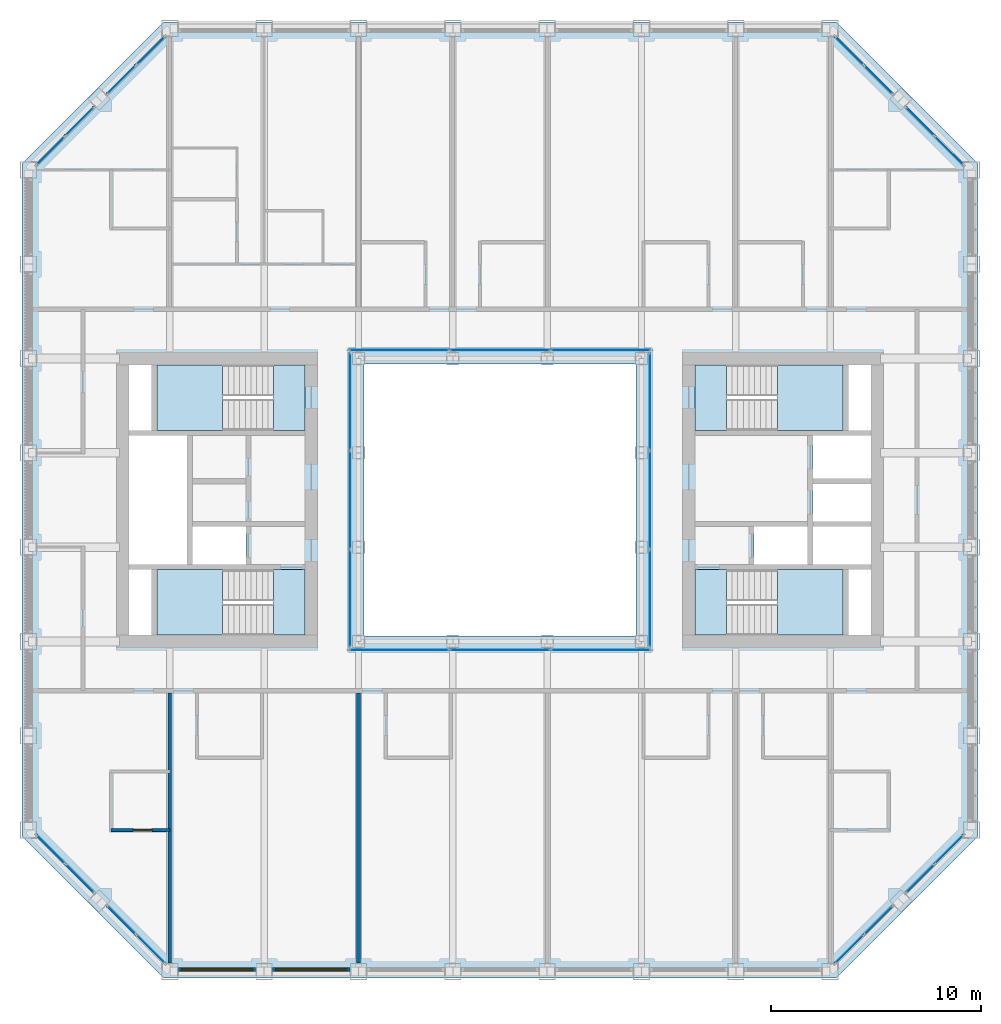
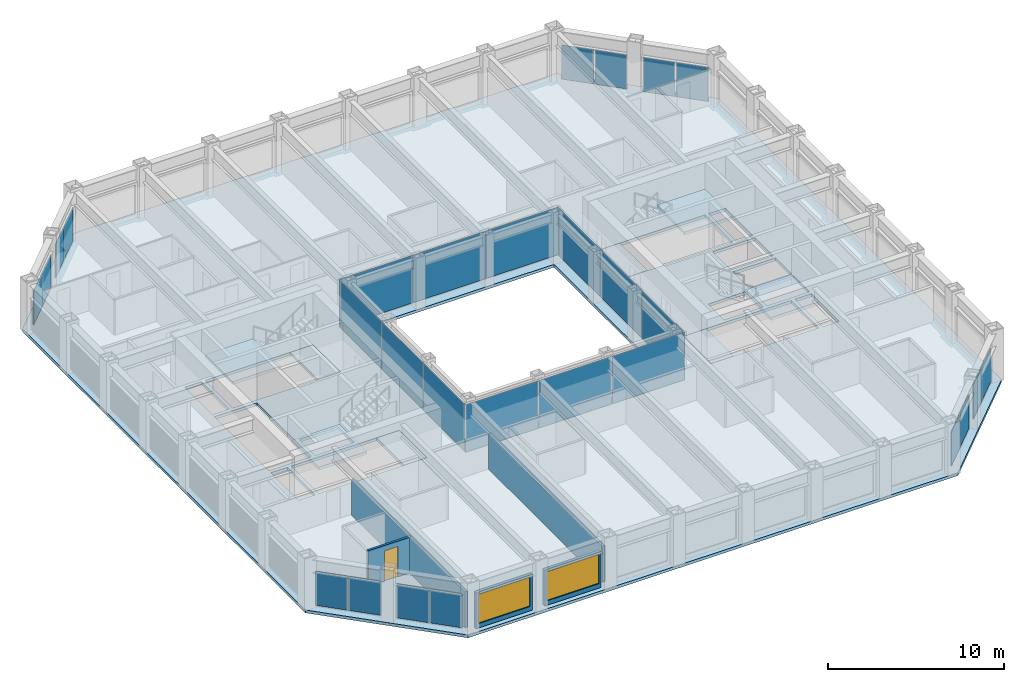
# One storey, part 9 of 17: 28 plates, 9 slabs, 5 walls, 2 windows, 1 door, 3 openings, 16 elements without a shape of their own.
"""IFC4 building model written with IfcOpenShell, lengths in metres."""

from ifc_helpers import new_model, si_unit, direction, frame, frame_2d, origin, origin_2d, place, context, subcontext, project, spatial, polyline, rectangle, outline, extrude, material, layer, layer_set, type_object, element, fill, aggregate, save


model = new_model("IFC4")

# Units and contexts
model_context = context("Model", 3, precision=1e-05, world=origin(), true_north=direction((0.0, 1.0)))
body_context = subcontext(model_context, "Body", "Model", "MODEL_VIEW")
ifc_project = project(units=[si_unit("LENGTHUNIT", "METRE"), si_unit("AREAUNIT", "SQUARE_METRE"), si_unit("VOLUMEUNIT", "CUBIC_METRE"), si_unit("PLANEANGLEUNIT", "RADIAN"), si_unit("MASSUNIT", "GRAM", prefix="KILO")], contexts=[model_context])

# Site, building, storey
site_placement = place(None, origin())
site = spatial("IfcSite", under=ifc_project, at=site_placement, CompositionType="ELEMENT")
building_placement = place(site_placement, origin())
building = spatial("IfcBuilding", under=site, at=building_placement, Name="Msasa Ring Tower", CompositionType="ELEMENT")
storey_placement = place(building_placement, frame((0.0, 0.0, 176.0)))
storey = spatial("IfcBuildingStorey", under=building, at=storey_placement, Name="L46", CompositionType="ELEMENT", Elevation=176.0)

# Curtain wall, plates
ifc_material_1 = material(Name="Aluminium curtain wall with clear glass", Category="aluminium")
curtain_wall_type_1 = type_object("IfcCurtainWallType", Name="CW-C CHAMFER CORNER CURTAIN WALL", PredefinedType="NOTDEFINED", material=ifc_material_1)
curtain_wall_1_placement = place(storey_placement, origin())
curtain_wall_1 = element("IfcCurtainWall", 1, at=curtain_wall_1_placement, inside=storey, type_object=curtain_wall_type_1, Name="Chamfer corner curtain wall SE L46", PredefinedType="NOTDEFINED")
ifc_material_2 = material(Name="Clear laminated insulating glass unit", Category="glass")
ifc_layer_1 = layer(ifc_material_2, 0.031982421875)
ifc_layer_set_1 = layer_set([ifc_layer_1], Name="CW-C GLASS PANEL 32")
plate_type_1 = type_object("IfcPlateType", Name="CW-C GLASS PANEL 32", PredefinedType="CURTAIN_PANEL", material=ifc_layer_set_1)
plate_1_placement = place(storey_placement, frame((16.677734375, -21.430908203125, 0.06494140625), z_axis=(0.0, 0.0, 1.0), x_axis=(0.707106781187, 0.707106781187, 0.0)))
plate_1 = element("IfcPlate", 2, at=plate_1_placement, type_object=plate_type_1, Name="CW-C panel 1.1", PredefinedType="CURTAIN_PANEL", context=body_context, shape_type="SweptSolid", body=[
    extrude(rectangle(XDim=1.884033203125, YDim=0.031982421875, at=origin_2d()), origin(), (0.0, 0.0, 1.0), 2.34912109375),
])
plate_2_placement = place(storey_placement, frame((18.055908203125, -20.052734375, 0.06494140625), z_axis=(0.0, 0.0, 1.0), x_axis=(0.707106781187, 0.707106781187, 0.0)))
plate_2 = element("IfcPlate", 3, at=plate_2_placement, type_object=plate_type_1, Name="CW-C panel 2.1", PredefinedType="CURTAIN_PANEL", context=body_context, shape_type="SweptSolid", body=[
    extrude(rectangle(XDim=1.884033203125, YDim=0.031982421875, at=origin_2d()), origin(), (0.0, 0.0, 1.0), 2.34912109375),
])
aggregate(curtain_wall_1, [plate_1, plate_2])

curtain_wall_2_placement = place(storey_placement, origin())
curtain_wall_2 = element("IfcCurtainWall", 4, at=curtain_wall_2_placement, inside=storey, type_object=curtain_wall_type_1, Name="Chamfer corner curtain wall SE L46", PredefinedType="NOTDEFINED")
plate_3_placement = place(storey_placement, frame((20.052734375, -18.055908203125, 0.06494140625), z_axis=(0.0, 0.0, 1.0), x_axis=(0.707106781187, 0.707106781187, 0.0)))
plate_3 = element("IfcPlate", 5, at=plate_3_placement, type_object=plate_type_1, Name="CW-C panel 1.1", PredefinedType="CURTAIN_PANEL", context=body_context, shape_type="SweptSolid", body=[
    extrude(rectangle(XDim=1.884033203125, YDim=0.031982421875, at=origin_2d()), origin(), (0.0, 0.0, 1.0), 2.34912109375),
])
plate_4_placement = place(storey_placement, frame((21.430908203125, -16.677734375, 0.06494140625), z_axis=(0.0, 0.0, 1.0), x_axis=(0.707106781187, 0.707106781187, 0.0)))
plate_4 = element("IfcPlate", 6, at=plate_4_placement, type_object=plate_type_1, Name="CW-C panel 2.1", PredefinedType="CURTAIN_PANEL", context=body_context, shape_type="SweptSolid", body=[
    extrude(rectangle(XDim=1.884033203125, YDim=0.031982421875, at=origin_2d()), origin(), (0.0, 0.0, 1.0), 2.34912109375),
])
aggregate(curtain_wall_2, [plate_3, plate_4])

curtain_wall_3_placement = place(storey_placement, origin())
curtain_wall_3 = element("IfcCurtainWall", 7, at=curtain_wall_3_placement, inside=storey, type_object=curtain_wall_type_1, Name="Chamfer corner curtain wall NE L46", PredefinedType="NOTDEFINED")
plate_5_placement = place(storey_placement, frame((18.055908203125, 20.052734375, 0.06494140625), z_axis=(0.0, 0.0, 1.0), x_axis=(-0.707106781187, 0.707106781187, 0.0)))
plate_5 = element("IfcPlate", 8, at=plate_5_placement, type_object=plate_type_1, Name="CW-C panel 1.1", PredefinedType="CURTAIN_PANEL", context=body_context, shape_type="SweptSolid", body=[
    extrude(rectangle(XDim=1.884033203125, YDim=0.031982421875, at=origin_2d()), origin(), (0.0, 0.0, 1.0), 2.34912109375),
])
plate_6_placement = place(storey_placement, frame((16.677734375, 21.430908203125, 0.06494140625), z_axis=(0.0, 0.0, 1.0), x_axis=(-0.707106781187, 0.707106781187, 0.0)))
plate_6 = element("IfcPlate", 9, at=plate_6_placement, type_object=plate_type_1, Name="CW-C panel 2.1", PredefinedType="CURTAIN_PANEL", context=body_context, shape_type="SweptSolid", body=[
    extrude(rectangle(XDim=1.884033203125, YDim=0.031982421875, at=origin_2d()), origin(), (0.0, 0.0, 1.0), 2.34912109375),
])
aggregate(curtain_wall_3, [plate_5, plate_6])

curtain_wall_4_placement = place(storey_placement, origin())
curtain_wall_4 = element("IfcCurtainWall", 10, at=curtain_wall_4_placement, inside=storey, type_object=curtain_wall_type_1, Name="Chamfer corner curtain wall NE L46", PredefinedType="NOTDEFINED")
plate_7_placement = place(storey_placement, frame((21.430908203125, 16.677734375, 0.06494140625), z_axis=(0.0, 0.0, 1.0), x_axis=(-0.707106781187, 0.707106781187, 0.0)))
plate_7 = element("IfcPlate", 11, at=plate_7_placement, type_object=plate_type_1, Name="CW-C panel 1.1", PredefinedType="CURTAIN_PANEL", context=body_context, shape_type="SweptSolid", body=[
    extrude(rectangle(XDim=1.884033203125, YDim=0.031982421875, at=origin_2d()), origin(), (0.0, 0.0, 1.0), 2.34912109375),
])
plate_8_placement = place(storey_placement, frame((20.052734375, 18.055908203125, 0.06494140625), z_axis=(0.0, 0.0, 1.0), x_axis=(-0.707106781187, 0.707106781187, 0.0)))
plate_8 = element("IfcPlate", 12, at=plate_8_placement, type_object=plate_type_1, Name="CW-C panel 2.1", PredefinedType="CURTAIN_PANEL", context=body_context, shape_type="SweptSolid", body=[
    extrude(rectangle(XDim=1.884033203125, YDim=0.031982421875, at=origin_2d()), origin(), (0.0, 0.0, 1.0), 2.34912109375),
])
aggregate(curtain_wall_4, [plate_7, plate_8])

curtain_wall_5_placement = place(storey_placement, origin())
curtain_wall_5 = element("IfcCurtainWall", 13, at=curtain_wall_5_placement, inside=storey, type_object=curtain_wall_type_1, Name="Chamfer corner curtain wall NW L46", PredefinedType="NOTDEFINED")
plate_9_placement = place(storey_placement, frame((-20.052734375, 18.055908203125, 0.06494140625), z_axis=(0.0, 0.0, 1.0), x_axis=(-0.707106781187, -0.707106781187, 0.0)))
plate_9 = element("IfcPlate", 14, at=plate_9_placement, type_object=plate_type_1, Name="CW-C panel 1.1", PredefinedType="CURTAIN_PANEL", context=body_context, shape_type="SweptSolid", body=[
    extrude(rectangle(XDim=1.884033203125, YDim=0.031982421875, at=origin_2d()), origin(), (0.0, 0.0, 1.0), 2.34912109375),
])
plate_10_placement = place(storey_placement, frame((-21.430908203125, 16.677734375, 0.06494140625), z_axis=(0.0, 0.0, 1.0), x_axis=(-0.707106781187, -0.707106781187, 0.0)))
plate_10 = element("IfcPlate", 15, at=plate_10_placement, type_object=plate_type_1, Name="CW-C panel 2.1", PredefinedType="CURTAIN_PANEL", context=body_context, shape_type="SweptSolid", body=[
    extrude(rectangle(XDim=1.884033203125, YDim=0.031982421875, at=origin_2d()), origin(), (0.0, 0.0, 1.0), 2.34912109375),
])
aggregate(curtain_wall_5, [plate_9, plate_10])

curtain_wall_6_placement = place(storey_placement, origin())
curtain_wall_6 = element("IfcCurtainWall", 16, at=curtain_wall_6_placement, inside=storey, type_object=curtain_wall_type_1, Name="Chamfer corner curtain wall NW L46", PredefinedType="NOTDEFINED")
plate_11_placement = place(storey_placement, frame((-16.677734375, 21.430908203125, 0.06494140625), z_axis=(0.0, 0.0, 1.0), x_axis=(-0.707106781187, -0.707106781187, 0.0)))
plate_11 = element("IfcPlate", 17, at=plate_11_placement, type_object=plate_type_1, Name="CW-C panel 1.1", PredefinedType="CURTAIN_PANEL", context=body_context, shape_type="SweptSolid", body=[
    extrude(rectangle(XDim=1.884033203125, YDim=0.031982421875, at=origin_2d()), origin(), (0.0, 0.0, 1.0), 2.34912109375),
])
plate_12_placement = place(storey_placement, frame((-18.055908203125, 20.052734375, 0.06494140625), z_axis=(0.0, 0.0, 1.0), x_axis=(-0.707106781187, -0.707106781187, 0.0)))
plate_12 = element("IfcPlate", 18, at=plate_12_placement, type_object=plate_type_1, Name="CW-C panel 2.1", PredefinedType="CURTAIN_PANEL", context=body_context, shape_type="SweptSolid", body=[
    extrude(rectangle(XDim=1.884033203125, YDim=0.031982421875, at=origin_2d()), origin(), (0.0, 0.0, 1.0), 2.34912109375),
])
aggregate(curtain_wall_6, [plate_11, plate_12])

curtain_wall_7_placement = place(storey_placement, origin())
curtain_wall_7 = element("IfcCurtainWall", 19, at=curtain_wall_7_placement, inside=storey, type_object=curtain_wall_type_1, Name="Chamfer corner curtain wall SW L46", PredefinedType="NOTDEFINED")
plate_13_placement = place(storey_placement, frame((-21.430908203125, -16.677734375, 0.06494140625), z_axis=(0.0, 0.0, 1.0), x_axis=(0.707106781187, -0.707106781187, 0.0)))
plate_13 = element("IfcPlate", 20, at=plate_13_placement, type_object=plate_type_1, Name="CW-C panel 1.1", PredefinedType="CURTAIN_PANEL", context=body_context, shape_type="SweptSolid", body=[
    extrude(rectangle(XDim=1.884033203125, YDim=0.031982421875, at=origin_2d()), origin(), (0.0, 0.0, 1.0), 2.34912109375),
])
plate_14_placement = place(storey_placement, frame((-20.052734375, -18.055908203125, 0.06494140625), z_axis=(0.0, 0.0, 1.0), x_axis=(0.707106781187, -0.707106781187, 0.0)))
plate_14 = element("IfcPlate", 21, at=plate_14_placement, type_object=plate_type_1, Name="CW-C panel 2.1", PredefinedType="CURTAIN_PANEL", context=body_context, shape_type="SweptSolid", body=[
    extrude(rectangle(XDim=1.884033203125, YDim=0.031982421875, at=origin_2d()), origin(), (0.0, 0.0, 1.0), 2.34912109375),
])
aggregate(curtain_wall_7, [plate_13, plate_14])

curtain_wall_8_placement = place(storey_placement, origin())
curtain_wall_8 = element("IfcCurtainWall", 22, at=curtain_wall_8_placement, inside=storey, type_object=curtain_wall_type_1, Name="Chamfer corner curtain wall SW L46", PredefinedType="NOTDEFINED")
plate_15_placement = place(storey_placement, frame((-18.055908203125, -20.052734375, 0.06494140625), z_axis=(0.0, 0.0, 1.0), x_axis=(0.707106781187, -0.707106781187, 0.0)))
plate_15 = element("IfcPlate", 23, at=plate_15_placement, type_object=plate_type_1, Name="CW-C panel 1.1", PredefinedType="CURTAIN_PANEL", context=body_context, shape_type="SweptSolid", body=[
    extrude(rectangle(XDim=1.884033203125, YDim=0.031982421875, at=origin_2d()), origin(), (0.0, 0.0, 1.0), 2.34912109375),
])
plate_16_placement = place(storey_placement, frame((-16.677734375, -21.430908203125, 0.06494140625), z_axis=(0.0, 0.0, 1.0), x_axis=(0.707106781187, -0.707106781187, 0.0)))
plate_16 = element("IfcPlate", 24, at=plate_16_placement, type_object=plate_type_1, Name="CW-C panel 2.1", PredefinedType="CURTAIN_PANEL", context=body_context, shape_type="SweptSolid", body=[
    extrude(rectangle(XDim=1.884033203125, YDim=0.031982421875, at=origin_2d()), origin(), (0.0, 0.0, 1.0), 2.34912109375),
])
aggregate(curtain_wall_8, [plate_15, plate_16])

ifc_material_3 = material(Name="Aluminium curtain wall with clear glass", Category="aluminium")
curtain_wall_type_2 = type_object("IfcCurtainWallType", Name="CW-W LIGHT WELL CURTAIN WALL", PredefinedType="NOTDEFINED", material=ifc_material_3)
curtain_wall_9_placement = place(storey_placement, origin())
curtain_wall_9 = element("IfcCurtainWall", 25, at=curtain_wall_9_placement, inside=storey, type_object=curtain_wall_type_2, Name="Light well curtain wall N L46", PredefinedType="NOTDEFINED")
ifc_material_4 = material(Name="Clear laminated insulating glass unit", Category="glass")
ifc_layer_2 = layer(ifc_material_4, 0.028076171875)
ifc_layer_set_2 = layer_set([ifc_layer_2], Name="CW-W GLASS PANEL 28")
plate_type_2 = type_object("IfcPlateType", Name="CW-W GLASS PANEL 28", PredefinedType="CURTAIN_PANEL", material=ifc_layer_set_2)
plate_17_placement = place(storey_placement, frame((-4.804931640625, 7.14990234375, 0.06005859375), z_axis=(0.0, 0.0, 1.0), x_axis=(1.0, 0.0, 0.0)))
plate_17 = element("IfcPlate", 26, at=plate_17_placement, type_object=plate_type_2, Name="CW-W panel 1.1", PredefinedType="CURTAIN_PANEL", context=body_context, shape_type="SweptSolid", body=[
    extrude(rectangle(XDim=4.72998046875, YDim=0.028076171875, at=origin_2d()), origin(), (0.0, 0.0, 1.0), 3.280029296875),
])
plate_18_placement = place(storey_placement, frame((0.0, 7.14990234375, 0.06005859375), z_axis=(0.0, 0.0, 1.0), x_axis=(1.0, 0.0, 0.0)))
plate_18 = element("IfcPlate", 27, at=plate_18_placement, type_object=plate_type_2, Name="CW-W panel 2.1", PredefinedType="CURTAIN_PANEL", context=body_context, shape_type="SweptSolid", body=[
    extrude(rectangle(XDim=4.760009765625, YDim=0.028076171875, at=origin_2d()), origin(), (0.0, 0.0, 1.0), 3.280029296875),
])
plate_19_placement = place(storey_placement, frame((4.804931640625, 7.14990234375, 0.06005859375), z_axis=(0.0, 0.0, 1.0), x_axis=(1.0, 0.0, 0.0)))
plate_19 = element("IfcPlate", 28, at=plate_19_placement, type_object=plate_type_2, Name="CW-W panel 3.1", PredefinedType="CURTAIN_PANEL", context=body_context, shape_type="SweptSolid", body=[
    extrude(rectangle(XDim=4.72998046875, YDim=0.028076171875, at=origin_2d()), origin(), (0.0, 0.0, 1.0), 3.280029296875),
])
aggregate(curtain_wall_9, [plate_17, plate_18, plate_19])

curtain_wall_10_placement = place(storey_placement, origin())
curtain_wall_10 = element("IfcCurtainWall", 29, at=curtain_wall_10_placement, inside=storey, type_object=curtain_wall_type_2, Name="Light well curtain wall S L46", PredefinedType="NOTDEFINED")
plate_20_placement = place(storey_placement, frame((-4.804931640625, -7.14990234375, 0.06005859375), z_axis=(0.0, 0.0, 1.0), x_axis=(1.0, 0.0, 0.0)))
plate_20 = element("IfcPlate", 30, at=plate_20_placement, type_object=plate_type_2, Name="CW-W panel 1.1", PredefinedType="CURTAIN_PANEL", context=body_context, shape_type="SweptSolid", body=[
    extrude(rectangle(XDim=4.72998046875, YDim=0.028076171875, at=origin_2d()), origin(), (0.0, 0.0, 1.0), 3.280029296875),
])
plate_21_placement = place(storey_placement, frame((0.0, -7.14990234375, 0.06005859375), z_axis=(0.0, 0.0, 1.0), x_axis=(1.0, 0.0, 0.0)))
plate_21 = element("IfcPlate", 31, at=plate_21_placement, type_object=plate_type_2, Name="CW-W panel 2.1", PredefinedType="CURTAIN_PANEL", context=body_context, shape_type="SweptSolid", body=[
    extrude(rectangle(XDim=4.760009765625, YDim=0.028076171875, at=origin_2d()), origin(), (0.0, 0.0, 1.0), 3.280029296875),
])
plate_22_placement = place(storey_placement, frame((4.804931640625, -7.14990234375, 0.06005859375), z_axis=(0.0, 0.0, 1.0), x_axis=(1.0, 0.0, 0.0)))
plate_22 = element("IfcPlate", 32, at=plate_22_placement, type_object=plate_type_2, Name="CW-W panel 3.1", PredefinedType="CURTAIN_PANEL", context=body_context, shape_type="SweptSolid", body=[
    extrude(rectangle(XDim=4.72998046875, YDim=0.028076171875, at=origin_2d()), origin(), (0.0, 0.0, 1.0), 3.280029296875),
])
aggregate(curtain_wall_10, [plate_20, plate_21, plate_22])

curtain_wall_11_placement = place(storey_placement, origin())
curtain_wall_11 = element("IfcCurtainWall", 33, at=curtain_wall_11_placement, inside=storey, type_object=curtain_wall_type_2, Name="Light well curtain wall E L46", PredefinedType="NOTDEFINED")
plate_23_placement = place(storey_placement, frame((7.14990234375, -4.6982421875, 0.06005859375), z_axis=(0.0, 0.0, 1.0), x_axis=(0.0, 1.0, 0.0)))
plate_23 = element("IfcPlate", 34, at=plate_23_placement, type_object=plate_type_2, Name="CW-W panel 1.1", PredefinedType="CURTAIN_PANEL", context=body_context, shape_type="SweptSolid", body=[
    extrude(rectangle(XDim=4.623291015625, YDim=0.028076171875, at=origin_2d()), origin(), (0.0, 0.0, 1.0), 3.280029296875),
])
plate_24_placement = place(storey_placement, frame((7.14990234375, 0.0, 0.06005859375), z_axis=(0.0, 0.0, 1.0), x_axis=(0.0, 1.0, 0.0)))
plate_24 = element("IfcPlate", 35, at=plate_24_placement, type_object=plate_type_2, Name="CW-W panel 2.1", PredefinedType="CURTAIN_PANEL", context=body_context, shape_type="SweptSolid", body=[
    extrude(rectangle(XDim=4.6533203125, YDim=0.028076171875, at=origin_2d()), origin(), (0.0, 0.0, 1.0), 3.280029296875),
])
plate_25_placement = place(storey_placement, frame((7.14990234375, 4.6982421875, 0.06005859375), z_axis=(0.0, 0.0, 1.0), x_axis=(0.0, 1.0, 0.0)))
plate_25 = element("IfcPlate", 36, at=plate_25_placement, type_object=plate_type_2, Name="CW-W panel 3.1", PredefinedType="CURTAIN_PANEL", context=body_context, shape_type="SweptSolid", body=[
    extrude(rectangle(XDim=4.623291015625, YDim=0.028076171875, at=origin_2d()), origin(), (0.0, 0.0, 1.0), 3.280029296875),
])
aggregate(curtain_wall_11, [plate_23, plate_24, plate_25])

curtain_wall_12_placement = place(storey_placement, origin())
curtain_wall_12 = element("IfcCurtainWall", 37, at=curtain_wall_12_placement, inside=storey, type_object=curtain_wall_type_2, Name="Light well curtain wall W L46", PredefinedType="NOTDEFINED")
plate_26_placement = place(storey_placement, frame((-7.14990234375, -4.6982421875, 0.06005859375), z_axis=(0.0, 0.0, 1.0), x_axis=(0.0, 1.0, 0.0)))
plate_26 = element("IfcPlate", 38, at=plate_26_placement, type_object=plate_type_2, Name="CW-W panel 1.1", PredefinedType="CURTAIN_PANEL", context=body_context, shape_type="SweptSolid", body=[
    extrude(rectangle(XDim=4.623291015625, YDim=0.028076171875, at=origin_2d()), origin(), (0.0, 0.0, 1.0), 3.280029296875),
])
plate_27_placement = place(storey_placement, frame((-7.14990234375, 0.0, 0.06005859375), z_axis=(0.0, 0.0, 1.0), x_axis=(0.0, 1.0, 0.0)))
plate_27 = element("IfcPlate", 39, at=plate_27_placement, type_object=plate_type_2, Name="CW-W panel 2.1", PredefinedType="CURTAIN_PANEL", context=body_context, shape_type="SweptSolid", body=[
    extrude(rectangle(XDim=4.6533203125, YDim=0.028076171875, at=origin_2d()), origin(), (0.0, 0.0, 1.0), 3.280029296875),
])
plate_28_placement = place(storey_placement, frame((-7.14990234375, 4.6982421875, 0.06005859375), z_axis=(0.0, 0.0, 1.0), x_axis=(0.0, 1.0, 0.0)))
plate_28 = element("IfcPlate", 40, at=plate_28_placement, type_object=plate_type_2, Name="CW-W panel 3.1", PredefinedType="CURTAIN_PANEL", context=body_context, shape_type="SweptSolid", body=[
    extrude(rectangle(XDim=4.623291015625, YDim=0.028076171875, at=origin_2d()), origin(), (0.0, 0.0, 1.0), 3.280029296875),
])
aggregate(curtain_wall_12, [plate_26, plate_27, plate_28])

# Stair, slabs
ifc_material_5 = material(Name="Concrete C40/50", Category="concrete")
stair_type = type_object("IfcStairType", Name="STC CORE STAIR 20 RISERS 180", PredefinedType="HALF_TURN_STAIR", material=ifc_material_5)
stair_1_placement = place(storey_placement, origin())
stair_1 = element("IfcStair", 41, at=stair_1_placement, inside=storey, type_object=stair_type, Name="Core stair SEA L46", PredefinedType="HALF_TURN_STAIR")
ifc_material_6 = material(Name="Concrete C40/50", Category="concrete")
ifc_layer_3 = layer(ifc_material_6, 0.199951171875)
ifc_layer_set_3 = layer_set([ifc_layer_3], Name="LD1 CORE STAIR LANDING 200")
slab_type_1 = type_object("IfcSlabType", Name="LD1 CORE STAIR LANDING 200", PredefinedType="LANDING", material=ifc_layer_set_3)
slab_1_placement = place(storey_placement, frame((0.0, 0.0, -0.199951171875)))
slab_1 = element("IfcSlab", 42, at=slab_1_placement, type_object=slab_type_1, Name="SEA landing 1", PredefinedType="LANDING", context=body_context, shape_type="SweptSolid", body=[
    extrude(outline(polyline([(9.300048828125, -6.449951171875), (10.800048828125, -6.449951171875), (10.800048828125, -3.324951171875), (9.300048828125, -3.324951171875), (9.300048828125, -6.449951171875)])), origin(), (0.0, 0.0, 1.0), 0.199951171875),
])
slab_2_placement = place(storey_placement, frame((0.0, 0.0, 1.60009765625)))
slab_2 = element("IfcSlab", 43, at=slab_2_placement, type_object=slab_type_1, Name="SEA landing 2", PredefinedType="LANDING", context=body_context, shape_type="SweptSolid", body=[
    extrude(outline(polyline([(13.22998046875, -6.449951171875), (16.375, -6.449951171875), (16.375, -3.324951171875), (13.22998046875, -3.324951171875), (13.22998046875, -6.449951171875)])), origin(), (0.0, 0.0, 1.0), 0.199951171875),
])
aggregate(stair_1, [slab_1, slab_2])

stair_2_placement = place(storey_placement, origin())
stair_2 = element("IfcStair", 44, at=stair_2_placement, inside=storey, type_object=stair_type, Name="Core stair SEB L46", PredefinedType="HALF_TURN_STAIR")
slab_3_placement = place(storey_placement, frame((0.0, 0.0, -0.199951171875)))
slab_3 = element("IfcSlab", 45, at=slab_3_placement, type_object=slab_type_1, Name="SEB landing 1", PredefinedType="LANDING", context=body_context, shape_type="SweptSolid", body=[
    extrude(outline(polyline([(9.300048828125, 3.324951171875), (10.800048828125, 3.324951171875), (10.800048828125, 6.449951171875), (9.300048828125, 6.449951171875), (9.300048828125, 3.324951171875)])), origin(), (0.0, 0.0, 1.0), 0.199951171875),
])
slab_4_placement = place(storey_placement, frame((0.0, 0.0, 1.60009765625)))
slab_4 = element("IfcSlab", 46, at=slab_4_placement, type_object=slab_type_1, Name="SEB landing 2", PredefinedType="LANDING", context=body_context, shape_type="SweptSolid", body=[
    extrude(outline(polyline([(13.22998046875, 3.324951171875), (16.375, 3.324951171875), (16.375, 6.449951171875), (13.22998046875, 6.449951171875), (13.22998046875, 3.324951171875)])), origin(), (0.0, 0.0, 1.0), 0.199951171875),
])
aggregate(stair_2, [slab_3, slab_4])

stair_3_placement = place(storey_placement, origin())
stair_3 = element("IfcStair", 47, at=stair_3_placement, inside=storey, type_object=stair_type, Name="Core stair SWA L46", PredefinedType="HALF_TURN_STAIR")
slab_5_placement = place(storey_placement, frame((0.0, 0.0, -0.199951171875)))
slab_5 = element("IfcSlab", 48, at=slab_5_placement, type_object=slab_type_1, Name="SWA landing 1", PredefinedType="LANDING", context=body_context, shape_type="SweptSolid", body=[
    extrude(outline(polyline([(-10.800048828125, -6.449951171875), (-9.300048828125, -6.449951171875), (-9.300048828125, -3.324951171875), (-10.800048828125, -3.324951171875), (-10.800048828125, -6.449951171875)])), origin(), (0.0, 0.0, 1.0), 0.199951171875),
])
slab_6_placement = place(storey_placement, frame((0.0, 0.0, 1.60009765625)))
slab_6 = element("IfcSlab", 49, at=slab_6_placement, type_object=slab_type_1, Name="SWA landing 2", PredefinedType="LANDING", context=body_context, shape_type="SweptSolid", body=[
    extrude(outline(polyline([(-16.375, -6.449951171875), (-13.22998046875, -6.449951171875), (-13.22998046875, -3.324951171875), (-16.375, -3.324951171875), (-16.375, -6.449951171875)])), origin(), (0.0, 0.0, 1.0), 0.199951171875),
])
aggregate(stair_3, [slab_5, slab_6])

stair_4_placement = place(storey_placement, origin())
stair_4 = element("IfcStair", 50, at=stair_4_placement, inside=storey, type_object=stair_type, Name="Core stair SWB L46", PredefinedType="HALF_TURN_STAIR")
slab_7_placement = place(storey_placement, frame((0.0, 0.0, -0.199951171875)))
slab_7 = element("IfcSlab", 51, at=slab_7_placement, type_object=slab_type_1, Name="SWB landing 1", PredefinedType="LANDING", context=body_context, shape_type="SweptSolid", body=[
    extrude(outline(polyline([(-10.800048828125, 3.324951171875), (-9.300048828125, 3.324951171875), (-9.300048828125, 6.449951171875), (-10.800048828125, 6.449951171875), (-10.800048828125, 3.324951171875)])), origin(), (0.0, 0.0, 1.0), 0.199951171875),
])
slab_8_placement = place(storey_placement, frame((0.0, 0.0, 1.60009765625)))
slab_8 = element("IfcSlab", 52, at=slab_8_placement, type_object=slab_type_1, Name="SWB landing 2", PredefinedType="LANDING", context=body_context, shape_type="SweptSolid", body=[
    extrude(outline(polyline([(-16.375, 3.324951171875), (-13.22998046875, 3.324951171875), (-13.22998046875, 6.449951171875), (-16.375, 6.449951171875), (-16.375, 3.324951171875)])), origin(), (0.0, 0.0, 1.0), 0.199951171875),
])
aggregate(stair_4, [slab_7, slab_8])

# Slab
ifc_material_7 = material(Name="Concrete C40/50", Category="concrete")
ifc_layer_4 = layer(ifc_material_7, 0.199951171875)
ifc_layer_set_4 = layer_set([ifc_layer_4], Name="S6 GUEST FLOOR 200")
slab_type_2 = type_object("IfcSlabType", Name="S6 GUEST FLOOR 200", PredefinedType="FLOOR", material=ifc_layer_set_4)
slab_9_placement = place(storey_placement, frame((0.0, 0.0, -0.199951171875)))
element("IfcSlab", 53, at=slab_9_placement, inside=storey, type_object=slab_type_2, Name="Floor slab L46", PredefinedType="FLOOR", context=body_context, shape_type="SweptSolid", body=[
    extrude(outline(polyline([(-16.050048828125, -22.800048828125), (16.050048828125, -22.800048828125), (22.800048828125, -16.050048828125), (22.800048828125, 16.050048828125), (16.050048828125, 22.800048828125), (-16.050048828125, 22.800048828125), (-22.800048828125, 16.050048828125), (-22.800048828125, -16.050048828125), (-16.050048828125, -22.800048828125)]), holes=[polyline([(-6.5, -6.5), (6.5, -6.5), (6.5, 6.5), (-6.5, 6.5), (-6.5, -6.5)]), polyline([(9.300048828125, -6.449951171875), (16.375, -6.449951171875), (16.375, -3.324951171875), (9.300048828125, -3.324951171875), (9.300048828125, -6.449951171875)]), polyline([(9.300048828125, 3.324951171875), (16.375, 3.324951171875), (16.375, 6.449951171875), (9.300048828125, 6.449951171875), (9.300048828125, 3.324951171875)]), polyline([(12.125, -3.074951171875), (14.675048828125, -3.074951171875), (14.675048828125, -1.27490234375), (12.125, -1.27490234375), (12.125, -3.074951171875)]), polyline([(16.625, -6.449951171875), (17.699951171875, -6.449951171875), (17.699951171875, -3.324951171875), (16.625, -3.324951171875), (16.625, -6.449951171875)]), polyline([(16.625, 3.324951171875), (17.699951171875, 3.324951171875), (17.699951171875, 6.449951171875), (16.625, 6.449951171875), (16.625, 3.324951171875)]), polyline([(14.925048828125, -3.074951171875), (17.699951171875, -3.074951171875), (17.699951171875, -1.27490234375), (14.925048828125, -1.27490234375), (14.925048828125, -3.074951171875)]), polyline([(14.925048828125, -1.02490234375), (17.699951171875, -1.02490234375), (17.699951171875, 0.77490234375), (14.925048828125, 0.77490234375), (14.925048828125, -1.02490234375)]), polyline([(14.925048828125, 1.02490234375), (17.699951171875, 1.02490234375), (17.699951171875, 3.074951171875), (14.925048828125, 3.074951171875), (14.925048828125, 1.02490234375)]), polyline([(-16.375, -6.449951171875), (-9.300048828125, -6.449951171875), (-9.300048828125, -3.324951171875), (-16.375, -3.324951171875), (-16.375, -6.449951171875)]), polyline([(-16.375, 3.324951171875), (-9.300048828125, 3.324951171875), (-9.300048828125, 6.449951171875), (-16.375, 6.449951171875), (-16.375, 3.324951171875)]), polyline([(-14.675048828125, -3.074951171875), (-12.125, -3.074951171875), (-12.125, -1.27490234375), (-14.675048828125, -1.27490234375), (-14.675048828125, -3.074951171875)]), polyline([(-17.699951171875, -6.449951171875), (-16.625, -6.449951171875), (-16.625, -3.324951171875), (-17.699951171875, -3.324951171875), (-17.699951171875, -6.449951171875)]), polyline([(-17.699951171875, 3.324951171875), (-16.625, 3.324951171875), (-16.625, 6.449951171875), (-17.699951171875, 6.449951171875), (-17.699951171875, 3.324951171875)]), polyline([(-17.699951171875, -3.074951171875), (-14.925048828125, -3.074951171875), (-14.925048828125, 3.074951171875), (-17.699951171875, 3.074951171875), (-17.699951171875, -3.074951171875)])]), origin(), (0.0, 0.0, 1.0), 0.199951171875),
])

# Wall, opening, window
ifc_material_8 = material(Name="Terracotta rainscreen on blockwork", Category="masonry")
ifc_layer_5 = layer(ifc_material_8, 0.199951171875)
ifc_layer_set_5 = layer_set([ifc_layer_5], Name="FW1 TERRACOTTA-LINED INFILL BAY WALL 200")
wall_type_1 = type_object("IfcWallType", Name="FW1 TERRACOTTA-LINED INFILL BAY WALL 200", PredefinedType="SOLIDWALL", material=ifc_layer_set_5)
wall_1_placement = place(storey_placement, frame((-15.344970703125, -22.39990234375, 0.0), z_axis=(0.0, 0.0, 1.0), x_axis=(1.0, 0.0, 0.0)))
wall_1 = element("IfcWall", 54, at=wall_1_placement, inside=storey, type_object=wall_type_1, Name="Infill bay wall S L46 00", PredefinedType="SOLIDWALL", context=body_context, shape_type="SweptSolid", body=[
    extrude(rectangle(XDim=3.68994140625, YDim=0.199951171875, at=frame_2d((1.844970703125, 0.0))), origin(), (0.0, 0.0, 1.0), 2.47900390625),
])
opening_1_placement = place(wall_1_placement, frame((0.14501953125, 0.0, 0.300048828125)))
opening_1 = element("IfcOpeningElement", 55, at=opening_1_placement, cuts=wall_1, Name="Opening WN2", PredefinedType="OPENING", context=body_context, shape_type="SweptSolid", body=[
    extrude(rectangle(XDim=3.39990234375, YDim=2.029052734375, at=frame_2d((1.699951171875, 1.0146484375))), frame((0.0, 0.10986328125, 0.0), z_axis=(0.0, -1.0, 0.0), x_axis=(1.0, 0.0, 0.0)), (0.0, 0.0, 1.0), 0.219970703125),
])
ifc_material_9 = material(Name="Aluminium frame with clear glass", Category="aluminium")
window_type = type_object("IfcWindowType", Name="WN2 GUEST ROOM WINDOW 3400x2029", PartitioningType="SINGLE_PANEL", PredefinedType="WINDOW", material=ifc_material_9)
window_1_placement = place(opening_1_placement, origin())
window_1 = element("IfcWindow", 56, at=window_1_placement, inside=storey, type_object=window_type, Name="Window S L46 00", OverallHeight=2.029052734375, OverallWidth=3.39990234375, PartitioningType="SINGLE_PANEL", PredefinedType="WINDOW", context=body_context, shape_type="SweptSolid", body=[
    extrude(rectangle(XDim=3.39990234375, YDim=2.029052734375, at=frame_2d((1.699951171875, 1.0146484375))), frame((0.0, 0.030029296875, 0.0), z_axis=(0.0, -1.0, 0.0), x_axis=(1.0, 0.0, 0.0)), (0.0, 0.0, 1.0), 0.06005859375),
])
fill(opening_1, window_1)

wall_2_placement = place(storey_placement, frame((-10.844970703125, -22.39990234375, 0.0), z_axis=(0.0, 0.0, 1.0), x_axis=(1.0, 0.0, 0.0)))
wall_2 = element("IfcWall", 57, at=wall_2_placement, inside=storey, type_object=wall_type_1, Name="Infill bay wall S L46 01", PredefinedType="SOLIDWALL", context=body_context, shape_type="SweptSolid", body=[
    extrude(rectangle(XDim=3.68994140625, YDim=0.199951171875, at=frame_2d((1.844970703125, 0.0))), origin(), (0.0, 0.0, 1.0), 2.47900390625),
])
opening_2_placement = place(wall_2_placement, frame((0.14501953125, 0.0, 0.300048828125)))
opening_2 = element("IfcOpeningElement", 58, at=opening_2_placement, cuts=wall_2, Name="Opening WN2", PredefinedType="OPENING", context=body_context, shape_type="SweptSolid", body=[
    extrude(rectangle(XDim=3.39990234375, YDim=2.029052734375, at=frame_2d((1.699951171875, 1.0146484375))), frame((0.0, 0.10986328125, 0.0), z_axis=(0.0, -1.0, 0.0), x_axis=(1.0, 0.0, 0.0)), (0.0, 0.0, 1.0), 0.219970703125),
])
window_2_placement = place(opening_2_placement, origin())
window_2 = element("IfcWindow", 59, at=window_2_placement, inside=storey, type_object=window_type, Name="Window S L46 01", OverallHeight=2.029052734375, OverallWidth=3.39990234375, PartitioningType="SINGLE_PANEL", PredefinedType="WINDOW", context=body_context, shape_type="SweptSolid", body=[
    extrude(rectangle(XDim=3.39990234375, YDim=2.029052734375, at=frame_2d((1.699951171875, 1.0146484375))), frame((0.0, 0.030029296875, 0.0), z_axis=(0.0, -1.0, 0.0), x_axis=(1.0, 0.0, 0.0)), (0.0, 0.0, 1.0), 0.06005859375),
])
fill(opening_2, window_2)

# Wall, opening, door
ifc_material_10 = material(Name="Moisture-resistant board on steel studs with a concealed cistern and pipe void, tiled", Category="steel")
ifc_layer_6 = layer(ifc_material_10, 0.14990234375)
ifc_layer_set_6 = layer_set([ifc_layer_6], Name="PT4 BATHROOM WET WALL 150")
wall_type_2 = type_object("IfcWallType", Name="PT4 BATHROOM WET WALL 150", PredefinedType="PARTITIONING", material=ifc_layer_set_6)
wall_3_placement = place(storey_placement, frame((-18.550048828125, -15.75, 0.0), z_axis=(0.0, 0.0, 1.0), x_axis=(1.0, 0.0, 0.0)))
wall_3 = element("IfcWall", 60, at=wall_3_placement, inside=storey, type_object=wall_type_2, Name="Partition L46-CSSWBZ", PredefinedType="PARTITIONING", context=body_context, shape_type="SweptSolid", body=[
    extrude(rectangle(XDim=2.800048828125, YDim=0.14990234375, at=frame_2d((1.39990234375, 0.0))), origin(), (0.0, 0.0, 1.0), 2.473388671875),
])
opening_3_placement = place(wall_3_placement, frame((1.050048828125, 0.0, 0.0)))
opening_3 = element("IfcOpeningElement", 61, at=opening_3_placement, cuts=wall_3, Name="Opening HF-044", PredefinedType="OPENING", context=body_context, shape_type="SweptSolid", body=[
    extrude(rectangle(XDim=0.89990234375, YDim=2.10009765625, at=frame_2d((0.449951171875, 1.050048828125))), frame((0.0, 0.0849609375, 0.0), z_axis=(0.0, -1.0, 0.0), x_axis=(1.0, 0.0, 0.0)), (0.0, 0.0, 1.0), 0.169921875),
])
ifc_material_11 = material(Name="Timber door leaf in a steel frame", Category="steel")
door_type = type_object("IfcDoorType", Name="D3 BATHROOM DOOR 900x2100", OperationType="SINGLE_SWING_LEFT", PredefinedType="DOOR", material=ifc_material_11)
door_placement = place(opening_3_placement, origin())
door = element("IfcDoor", 62, at=door_placement, inside=storey, type_object=door_type, Name="Door L46-CSSWB1", OperationType="SINGLE_SWING_RIGHT", OverallHeight=2.10009765625, OverallWidth=0.89990234375, PredefinedType="DOOR", context=body_context, shape_type="SweptSolid", body=[
    extrude(rectangle(XDim=0.89990234375, YDim=2.10009765625, at=frame_2d((0.449951171875, 1.050048828125))), frame((0.0, 0.02490234375, 0.0), z_axis=(0.0, -1.0, 0.0), x_axis=(1.0, 0.0, 0.0)), (0.0, 0.0, 1.0), 0.050048828125),
])
fill(opening_3, door)

# Walls
ifc_material_12 = material(Name="Twin steel studs, two layers of acoustic board each face, mineral wool", Category="steel")
ifc_layer_7 = layer(ifc_material_12, 0.175048828125)
ifc_layer_set_7 = layer_set([ifc_layer_7], Name="PT5 GUEST ROOM SEPARATING WALL 175")
wall_type_3 = type_object("IfcWallType", Name="PT5 GUEST ROOM SEPARATING WALL 175", PredefinedType="PARTITIONING", material=ifc_layer_set_7)
for number, where, z_axis, x_axis, name in (
    (63, (-15.75, -22.10009765625, 0.0), (0.0, 0.0, 1.0), (0.0, 1.0, 0.0), "Partition L46-PWS-15.75"),
    (64, (-6.75, -22.10009765625, 0.0), (0.0, 0.0, 1.0), (0.0, 1.0, 0.0), "Partition L46-PWS-6.75"),
):
    element("IfcWall", number, at=place(storey_placement, frame(where, z_axis=z_axis, x_axis=x_axis)), inside=storey, type_object=wall_type_3, Name=name, PredefinedType="PARTITIONING", context=body_context, shape_type="SweptSolid", body=[
        extrude(rectangle(XDim=12.900146484375, YDim=0.175048828125, at=frame_2d((6.4501953125, 0.0))), origin(), (0.0, 0.0, 1.0), 2.473388671875),
    ])

save(model, "model.ifc")
